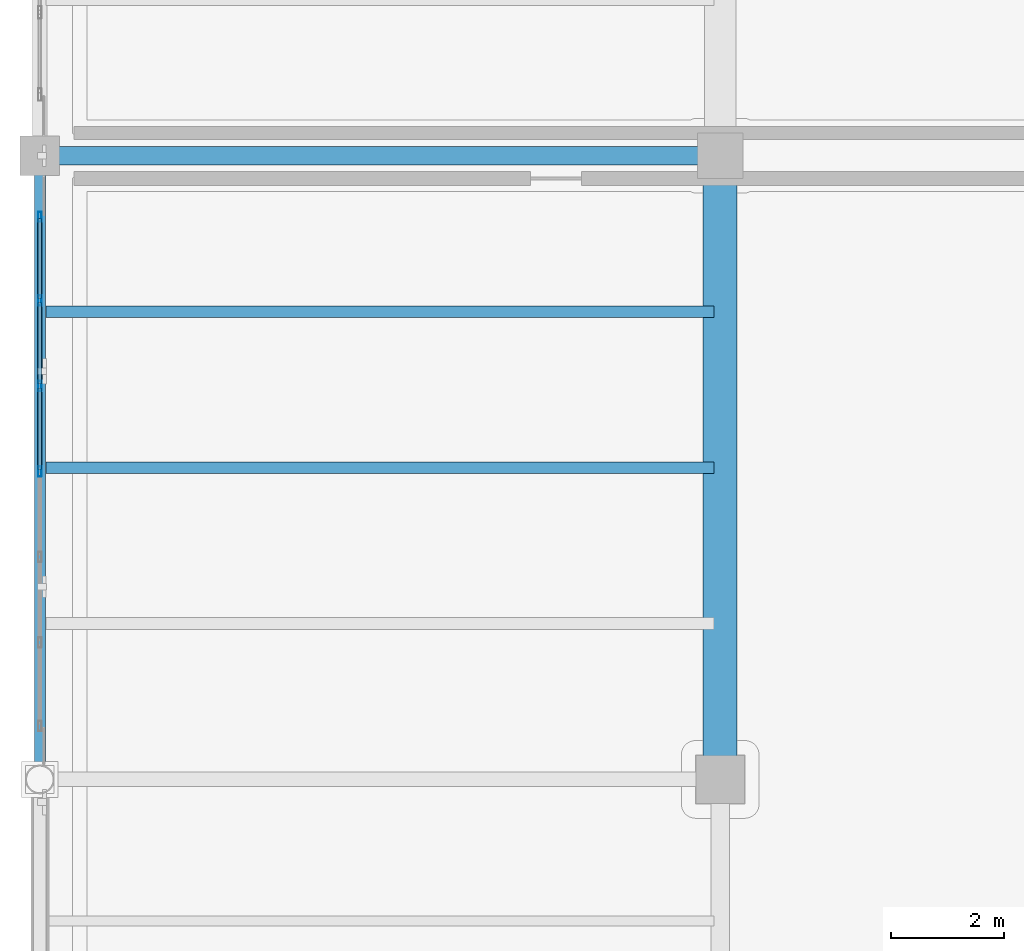
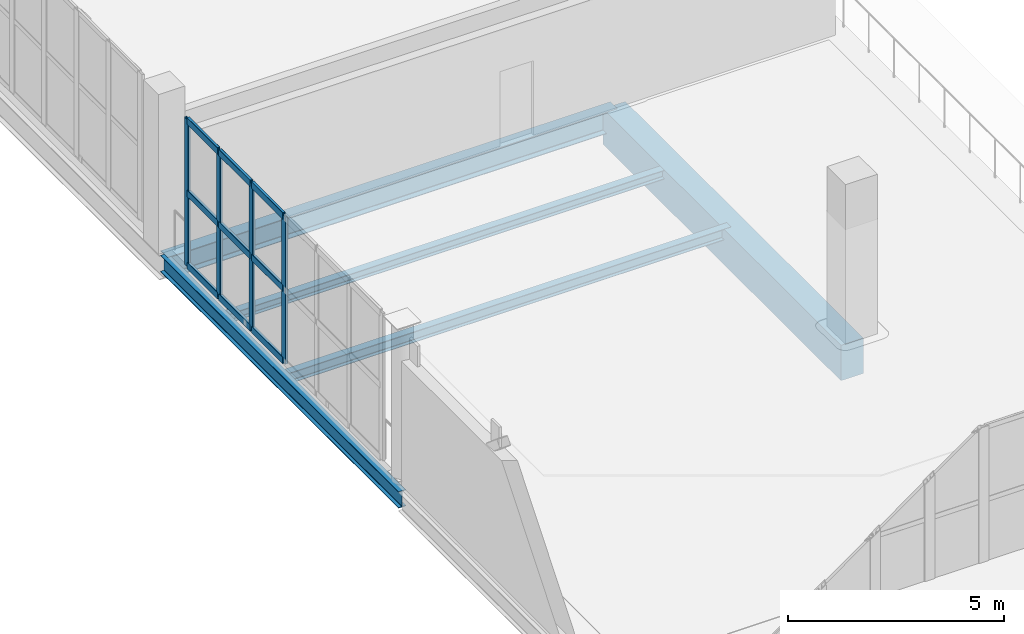
# One storey, part 12 of 108: 13 members, 5 beams, 1 element without a shape of its own.
"""IFC4 building model written with IfcOpenShell, lengths in metres."""

from ifc_helpers import new_model, si_unit, direction, frame, origin, origin_2d, place, context, subcontext, project, spatial, rectangle, hollow_rectangle, i_section, extrude, material, layer, layer_set, material_profile, profile_set, type_object, element, aggregate, save


model = new_model("IFC4")

# Units and contexts
model_context = context("Model", 3, precision=1e-05, world=origin(), true_north=direction((0.0, 1.0)))
body_context = subcontext(model_context, "Body", "Model", "MODEL_VIEW")
ifc_project = project(units=[si_unit("LENGTHUNIT", "METRE"), si_unit("AREAUNIT", "SQUARE_METRE"), si_unit("VOLUMEUNIT", "CUBIC_METRE"), si_unit("PLANEANGLEUNIT", "RADIAN"), si_unit("MASSUNIT", "GRAM", prefix="KILO")], contexts=[model_context])

# Site, building, storey
site_placement = place(None, origin())
site = spatial("IfcSite", under=ifc_project, at=site_placement, CompositionType="ELEMENT")
building_placement = place(site_placement, origin())
building = spatial("IfcBuilding", under=site, at=building_placement, Name="Brinegate Civic Arena", CompositionType="ELEMENT")
storey_placement = place(building_placement, frame((0.0, 0.0, 10.199951171875)))
storey = spatial("IfcBuildingStorey", under=building, at=storey_placement, Name="L02", CompositionType="ELEMENT", Elevation=10.199951171875)

# Curtain wall, members
ifc_material_1 = material(Name="Marine grade aluminium", Category="aluminium")
ifc_layer = layer(ifc_material_1, 0.18505859375, Name="Marine grade aluminium")
ifc_layer_set = layer_set([ifc_layer], Name="Marine grade aluminium")
curtain_wall_type = type_object("IfcCurtainWallType", Name="CW-WING-GLAZED-03", PredefinedType="USERDEFINED", material=ifc_layer_set)
curtain_wall_placement = place(storey_placement, origin())
curtain_wall = element("IfcCurtainWall", 1, at=curtain_wall_placement, inside=storey, type_object=curtain_wall_type, Name="Curtain Wall CWA-019", ObjectType="GLAZED CURTAIN WALL", PredefinedType="USERDEFINED")
ifc_material_profile_1 = material_profile(ifc_material_1, hollow_rectangle(XDim=0.06494140625, YDim=0.179931640625, WallThickness=0.0048828125, InnerFilletRadius=0.00390625, OuterFilletRadius=0.008056640625, at=origin_2d()), Name="MUL65X180")
ifc_profile_set_1 = profile_set([ifc_material_profile_1], Name="Marine grade aluminium")
member_type_1 = type_object("IfcMemberType", Name="CW-MULLION-65X180", PredefinedType="MULLION", material=ifc_profile_set_1)
member_1_placement = place(storey_placement, frame((0.0, 25.431884765625, 0.0), z_axis=(0.0, 0.0, 1.0), x_axis=(-1.0, 0.0, 0.0)))
member_1 = element("IfcMember", 2, at=member_1_placement, type_object=member_type_1, Name="CWA-019 mullion 4", PredefinedType="MULLION", context=body_context, shape_type="SweptSolid", body=[
    extrude(hollow_rectangle(XDim=0.06494140625, YDim=0.179931640625, WallThickness=0.0048828125, InnerFilletRadius=0.00390625, OuterFilletRadius=0.008056640625, at=origin_2d()), origin(), (0.0, 0.0, 1.0), 4.150146484375),
])
member_2_placement = place(storey_placement, frame((0.0, 26.939697265625, 0.0), z_axis=(0.0, 0.0, 1.0), x_axis=(-1.0, 0.0, 0.0)))
member_2 = element("IfcMember", 3, at=member_2_placement, type_object=member_type_1, Name="CWA-019 mullion 5", PredefinedType="MULLION", context=body_context, shape_type="SweptSolid", body=[
    extrude(hollow_rectangle(XDim=0.06494140625, YDim=0.179931640625, WallThickness=0.0048828125, InnerFilletRadius=0.00390625, OuterFilletRadius=0.008056640625, at=origin_2d()), origin(), (0.0, 0.0, 1.0), 4.150146484375),
])
member_3_placement = place(storey_placement, frame((0.0, 28.447265625, 0.0), z_axis=(0.0, 0.0, 1.0), x_axis=(-1.0, 0.0, 0.0)))
member_3 = element("IfcMember", 4, at=member_3_placement, type_object=member_type_1, Name="CWA-019 mullion 6", PredefinedType="MULLION", context=body_context, shape_type="SweptSolid", body=[
    extrude(hollow_rectangle(XDim=0.06494140625, YDim=0.179931640625, WallThickness=0.0048828125, InnerFilletRadius=0.00390625, OuterFilletRadius=0.008056640625, at=origin_2d()), origin(), (0.0, 0.0, 1.0), 4.150146484375),
])
member_4_placement = place(storey_placement, frame((0.0, 29.922607421875, 0.0), z_axis=(0.0, 0.0, 1.0), x_axis=(-1.0, 0.0, 0.0)))
member_4 = element("IfcMember", 5, at=member_4_placement, type_object=member_type_1, Name="CWA-019 mullion 7", PredefinedType="MULLION", context=body_context, shape_type="SweptSolid", body=[
    extrude(hollow_rectangle(XDim=0.06494140625, YDim=0.179931640625, WallThickness=0.0048828125, InnerFilletRadius=0.00390625, OuterFilletRadius=0.008056640625, at=origin_2d()), origin(), (0.0, 0.0, 1.0), 4.150146484375),
])
ifc_material_profile_2 = material_profile(ifc_material_1, hollow_rectangle(XDim=0.074951171875, YDim=0.18994140625, WallThickness=0.006103515625, InnerFilletRadius=0.00390625, OuterFilletRadius=0.008056640625, at=origin_2d()), Name="TRN75X190")
ifc_profile_set_2 = profile_set([ifc_material_profile_2], Name="Marine grade aluminium")
member_type_2 = type_object("IfcMemberType", Name="CW-TRANSOM-75X190", PredefinedType="USERDEFINED", material=ifc_profile_set_2)
member_5_placement = place(storey_placement, frame((0.0, 25.464599609375, 0.03759765625), z_axis=(0.0, 1.0, 0.0), x_axis=(-1.0, 0.0, 0.0)))
member_5 = element("IfcMember", 6, at=member_5_placement, type_object=member_type_2, Name="CWA-019 transom 4.1", ObjectType="TRANSOM", PredefinedType="USERDEFINED", context=body_context, shape_type="SweptSolid", body=[
    extrude(hollow_rectangle(XDim=0.074951171875, YDim=0.18994140625, WallThickness=0.006103515625, InnerFilletRadius=0.00390625, OuterFilletRadius=0.008056640625, at=origin_2d()), origin(), (0.0, 0.0, 1.0), 1.442626953125),
])
member_6_placement = place(storey_placement, frame((0.0, 25.464599609375, 2.074951171875), z_axis=(0.0, 1.0, 0.0), x_axis=(-1.0, 0.0, 0.0)))
member_6 = element("IfcMember", 7, at=member_6_placement, type_object=member_type_2, Name="CWA-019 transom 4.2", ObjectType="TRANSOM", PredefinedType="USERDEFINED", context=body_context, shape_type="SweptSolid", body=[
    extrude(hollow_rectangle(XDim=0.074951171875, YDim=0.18994140625, WallThickness=0.006103515625, InnerFilletRadius=0.00390625, OuterFilletRadius=0.008056640625, at=origin_2d()), origin(), (0.0, 0.0, 1.0), 1.442626953125),
])
member_7_placement = place(storey_placement, frame((0.0, 25.464599609375, 4.112548828125), z_axis=(0.0, 1.0, 0.0), x_axis=(-1.0, 0.0, 0.0)))
member_7 = element("IfcMember", 8, at=member_7_placement, type_object=member_type_2, Name="CWA-019 transom 4.3", ObjectType="TRANSOM", PredefinedType="USERDEFINED", context=body_context, shape_type="SweptSolid", body=[
    extrude(hollow_rectangle(XDim=0.074951171875, YDim=0.18994140625, WallThickness=0.006103515625, InnerFilletRadius=0.00390625, OuterFilletRadius=0.008056640625, at=origin_2d()), origin(), (0.0, 0.0, 1.0), 1.442626953125),
])
member_8_placement = place(storey_placement, frame((0.0, 26.97216796875, 0.03759765625), z_axis=(0.0, 1.0, 0.0), x_axis=(-1.0, 0.0, 0.0)))
member_8 = element("IfcMember", 9, at=member_8_placement, type_object=member_type_2, Name="CWA-019 transom 5.1", ObjectType="TRANSOM", PredefinedType="USERDEFINED", context=body_context, shape_type="SweptSolid", body=[
    extrude(hollow_rectangle(XDim=0.074951171875, YDim=0.18994140625, WallThickness=0.006103515625, InnerFilletRadius=0.00390625, OuterFilletRadius=0.008056640625, at=origin_2d()), origin(), (0.0, 0.0, 1.0), 1.442626953125),
])
member_9_placement = place(storey_placement, frame((0.0, 26.97216796875, 2.074951171875), z_axis=(0.0, 1.0, 0.0), x_axis=(-1.0, 0.0, 0.0)))
member_9 = element("IfcMember", 10, at=member_9_placement, type_object=member_type_2, Name="CWA-019 transom 5.2", ObjectType="TRANSOM", PredefinedType="USERDEFINED", context=body_context, shape_type="SweptSolid", body=[
    extrude(hollow_rectangle(XDim=0.074951171875, YDim=0.18994140625, WallThickness=0.006103515625, InnerFilletRadius=0.00390625, OuterFilletRadius=0.008056640625, at=origin_2d()), origin(), (0.0, 0.0, 1.0), 1.442626953125),
])
member_10_placement = place(storey_placement, frame((0.0, 26.97216796875, 4.112548828125), z_axis=(0.0, 1.0, 0.0), x_axis=(-1.0, 0.0, 0.0)))
member_10 = element("IfcMember", 11, at=member_10_placement, type_object=member_type_2, Name="CWA-019 transom 5.3", ObjectType="TRANSOM", PredefinedType="USERDEFINED", context=body_context, shape_type="SweptSolid", body=[
    extrude(hollow_rectangle(XDim=0.074951171875, YDim=0.18994140625, WallThickness=0.006103515625, InnerFilletRadius=0.00390625, OuterFilletRadius=0.008056640625, at=origin_2d()), origin(), (0.0, 0.0, 1.0), 1.442626953125),
])
member_11_placement = place(storey_placement, frame((0.0, 28.479736328125, 0.03759765625), z_axis=(0.0, 1.0, 0.0), x_axis=(-1.0, 0.0, 0.0)))
member_11 = element("IfcMember", 12, at=member_11_placement, type_object=member_type_2, Name="CWA-019 transom 6.1", ObjectType="TRANSOM", PredefinedType="USERDEFINED", context=body_context, shape_type="SweptSolid", body=[
    extrude(hollow_rectangle(XDim=0.074951171875, YDim=0.18994140625, WallThickness=0.006103515625, InnerFilletRadius=0.00390625, OuterFilletRadius=0.008056640625, at=origin_2d()), origin(), (0.0, 0.0, 1.0), 1.41015625),
])
member_12_placement = place(storey_placement, frame((0.0, 28.479736328125, 2.074951171875), z_axis=(0.0, 1.0, 0.0), x_axis=(-1.0, 0.0, 0.0)))
member_12 = element("IfcMember", 13, at=member_12_placement, type_object=member_type_2, Name="CWA-019 transom 6.2", ObjectType="TRANSOM", PredefinedType="USERDEFINED", context=body_context, shape_type="SweptSolid", body=[
    extrude(hollow_rectangle(XDim=0.074951171875, YDim=0.18994140625, WallThickness=0.006103515625, InnerFilletRadius=0.00390625, OuterFilletRadius=0.008056640625, at=origin_2d()), origin(), (0.0, 0.0, 1.0), 1.41015625),
])
member_13_placement = place(storey_placement, frame((0.0, 28.479736328125, 4.112548828125), z_axis=(0.0, 1.0, 0.0), x_axis=(-1.0, 0.0, 0.0)))
member_13 = element("IfcMember", 14, at=member_13_placement, type_object=member_type_2, Name="CWA-019 transom 6.3", ObjectType="TRANSOM", PredefinedType="USERDEFINED", context=body_context, shape_type="SweptSolid", body=[
    extrude(hollow_rectangle(XDim=0.074951171875, YDim=0.18994140625, WallThickness=0.006103515625, InnerFilletRadius=0.00390625, OuterFilletRadius=0.008056640625, at=origin_2d()), origin(), (0.0, 0.0, 1.0), 1.41015625),
])
aggregate(curtain_wall, [member_1, member_2, member_3, member_4, member_5, member_6, member_7, member_8, member_9, member_10, member_11, member_12, member_13])

# Beams
ifc_material_2 = material(Name="Steel S355", Category="steel")
ifc_material_profile_3 = material_profile(ifc_material_2, i_section(OverallWidth=0.323974609375, OverallDepth=0.611083984375, WebThickness=0.012939453125, FlangeThickness=0.01904296875, FilletRadius=0.01611328125, at=origin_2d()), Name="W610X155")
ifc_profile_set_3 = profile_set([ifc_material_profile_3], Name="Steel S355")
beam_type_1 = type_object("IfcBeamType", Name="GIRDER-W610X155", PredefinedType="BEAM", material=ifc_profile_set_3)
beam_1_placement = place(storey_placement, frame((0.0, 31.0, -0.635009765625), z_axis=(1.0, 0.0, 0.0), x_axis=(0.0, 1.0, 0.0)))
element("IfcBeam", 15, at=beam_1_placement, inside=storey, type_object=beam_type_1, Name="Floor Girder BM-L02-GX-00-03", PredefinedType="BEAM", context=body_context, shape_type="SweptSolid", body=[
    extrude(i_section(OverallWidth=0.323974609375, OverallDepth=0.611083984375, WebThickness=0.012939453125, FlangeThickness=0.01904296875, FilletRadius=0.01611328125, at=origin_2d()), origin(), (0.0, 0.0, 1.0), 12.0),
])
ifc_material_profile_4 = material_profile(ifc_material_2, i_section(OverallWidth=0.202880859375, OverallDepth=0.251953125, WebThickness=0.008056640625, FlangeThickness=0.013916015625, FilletRadius=0.011962890625, at=origin_2d()), Name="W250X58")
ifc_profile_set_4 = profile_set([ifc_material_profile_4], Name="Steel S355")
beam_type_2 = type_object("IfcBeamType", Name="JOIST-W250X58", PredefinedType="JOIST", material=ifc_profile_set_4)
beam_2_placement = place(storey_placement, frame((0.10595703125, 28.25, -0.4560546875), z_axis=(1.0, 0.0, 0.0), x_axis=(0.0, 1.0, 0.0)))
element("IfcBeam", 16, at=beam_2_placement, inside=storey, type_object=beam_type_2, Name="Secondary Joist BM-L02-JX-00-02-3", PredefinedType="JOIST", context=body_context, shape_type="SweptSolid", body=[
    extrude(i_section(OverallWidth=0.202880859375, OverallDepth=0.251953125, WebThickness=0.008056640625, FlangeThickness=0.013916015625, FilletRadius=0.011962890625, at=origin_2d()), origin(), (0.0, 0.0, 1.0), 11.7880859375),
])
ifc_material_profile_5 = material_profile(ifc_material_2, i_section(OverallWidth=0.202880859375, OverallDepth=0.302978515625, WebThickness=0.008056640625, FlangeThickness=0.012939453125, FilletRadius=0.012939453125, at=origin_2d()), Name="W310X60")
ifc_profile_set_5 = profile_set([ifc_material_profile_5], Name="Steel S355")
beam_type_3 = type_object("IfcBeamType", Name="JOIST-W310X60", PredefinedType="JOIST", material=ifc_profile_set_5)
beam_3_placement = place(storey_placement, frame((0.10595703125, 25.5, -0.48095703125), z_axis=(1.0, 0.0, 0.0), x_axis=(0.0, 1.0, 0.0)))
element("IfcBeam", 17, at=beam_3_placement, inside=storey, type_object=beam_type_3, Name="Secondary Joist BM-L02-JX-00-02-2", PredefinedType="JOIST", context=body_context, shape_type="SweptSolid", body=[
    extrude(i_section(OverallWidth=0.202880859375, OverallDepth=0.302978515625, WebThickness=0.008056640625, FlangeThickness=0.012939453125, FilletRadius=0.012939453125, at=origin_2d()), origin(), (0.0, 0.0, 1.0), 11.7880859375),
])
ifc_material_3 = material(Name="Concrete C50/60", Category="concrete")
ifc_material_profile_6 = material_profile(ifc_material_3, rectangle(XDim=0.60009765625, YDim=1.0, at=origin_2d()), Name="RCB600X1000")
ifc_profile_set_6 = profile_set([ifc_material_profile_6], Name="Concrete C50/60")
beam_type_4 = type_object("IfcBeamType", Name="RCG-600X1000", PredefinedType="BEAM", material=ifc_profile_set_6)
beam_4_placement = place(storey_placement, frame((12.0, 20.0, -0.829833984375), z_axis=(0.0, 1.0, 0.0), x_axis=(-1.0, 0.0, 0.0)))
element("IfcBeam", 18, at=beam_4_placement, inside=storey, type_object=beam_type_4, Name="Floor Girder BM-L02-GY-01-02", PredefinedType="BEAM", context=body_context, shape_type="SweptSolid", body=[
    extrude(rectangle(XDim=0.60009765625, YDim=1.0, at=origin_2d()), origin(), (0.0, 0.0, 1.0), 11.0),
])
ifc_material_profile_7 = material_profile(ifc_material_2, i_section(OverallWidth=0.193115234375, OverallDepth=0.466064453125, WebThickness=0.010986328125, FlangeThickness=0.01904296875, FilletRadius=0.014892578125, at=origin_2d()), Name="W460X97")
ifc_profile_set_7 = profile_set([ifc_material_profile_7], Name="Steel S355")
beam_type_5 = type_object("IfcBeamType", Name="SPANDREL-W460X97", PredefinedType="SPANDREL", material=ifc_profile_set_7)
beam_5_placement = place(storey_placement, frame((0.0, 20.0, -0.56298828125), z_axis=(0.0, 1.0, 0.0), x_axis=(-1.0, 0.0, 0.0)))
element("IfcBeam", 19, at=beam_5_placement, inside=storey, type_object=beam_type_5, Name="Floor Girder BM-L02-GY-00-02", PredefinedType="SPANDREL", context=body_context, shape_type="SweptSolid", body=[
    extrude(i_section(OverallWidth=0.193115234375, OverallDepth=0.466064453125, WebThickness=0.010986328125, FlangeThickness=0.01904296875, FilletRadius=0.014892578125, at=origin_2d()), origin(), (0.0, 0.0, 1.0), 11.0),
])

save(model, "model.ifc")
